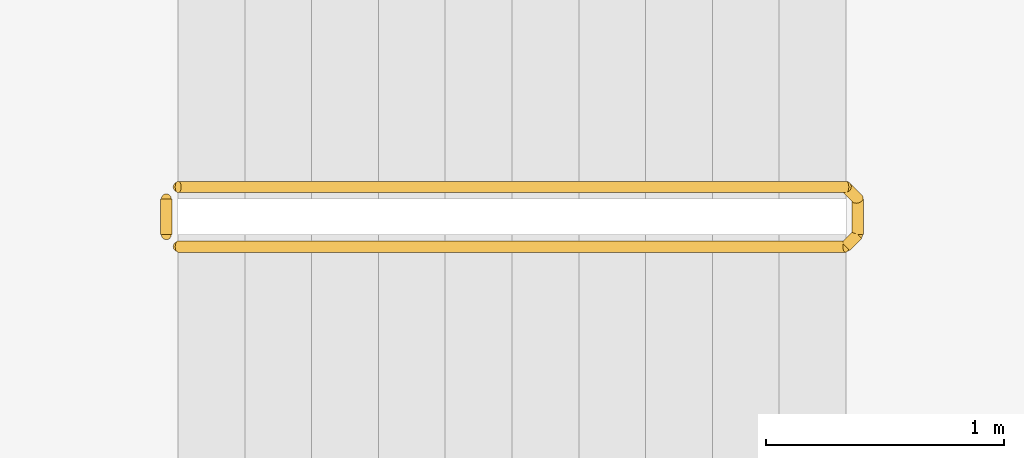
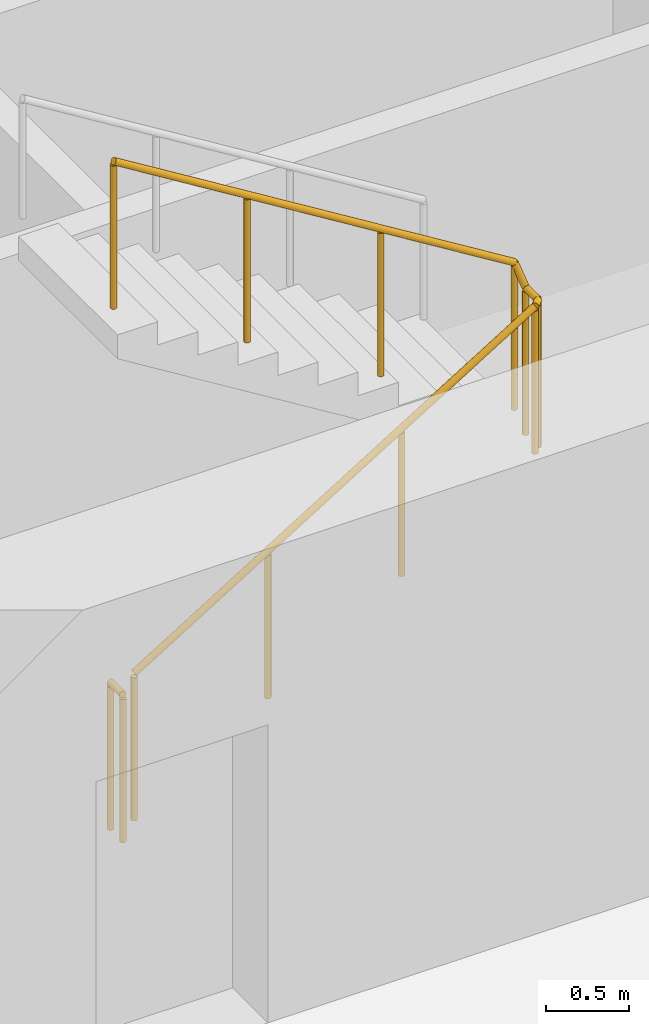
# One storey, part 10 of 14: 2 railings.
"""IFC4 building model written with IfcOpenShell, lengths in metres."""

import ifcopenshell
import ifcopenshell.guid

model = None  # the IFC model being written
_history = None  # IfcOwnerHistory: only IFC2X3 demands one
_inside = {}  # id of a spatial element -> (the spatial element, [elements in it])
_under = {}  # id of a project, library or spatial element -> (it, [spatial elements below it])
_declared = {}  # id of a project -> (the project, [libraries it declares])
_typed = {}  # id of a type object -> (the type object, [elements of that type])
_made_of = {}  # id of a material, layer set ... -> (it, [elements and type objects made of it])


def new_model(schema):
    """Start an empty IFC model of exactly this schema.

    Asked for "IFC4X3", IfcOpenShell would pick the latest addendum, in which some entities
    have other attributes; the version numbers below select the first issue.
    IFC2X3 requires an IfcOwnerHistory on every rooted entity: one is made here for all.
    """
    global model, _history
    if schema == "IFC4X3":
        model = ifcopenshell.file(schema_version=(4, 3, 0, 0))
    else:
        model = ifcopenshell.file(schema=schema)
    _inside.clear()
    _under.clear()
    _declared.clear()
    _typed.clear()
    _made_of.clear()
    _history = None
    if model.schema == "IFC2X3":
        org = make("IfcOrganization", Name="unknown")
        user = make(
            "IfcPersonAndOrganization",
            ThePerson=make("IfcPerson", FamilyName="unknown"),
            TheOrganization=org,
        )
        app = make(
            "IfcApplication",
            ApplicationDeveloper=org,
            Version="unknown",
            ApplicationFullName="unknown",
            ApplicationIdentifier="unknown",
        )
        _history = make(
            "IfcOwnerHistory",
            OwningUser=user,
            OwningApplication=app,
            ChangeAction="ADDED",
            CreationDate=0,
        )
    return model


def make(cls, **values):
    """One entity of the class cls with the attributes given. An attribute that is None is left unset."""
    return model.create_entity(
        cls, **{name: value for name, value in values.items() if value is not None}
    )


def rooted(cls, **values):
    """An entity with a GlobalId (a new one), such as an element, a storey or a relation."""
    return make(cls, GlobalId=ifcopenshell.guid.new(), OwnerHistory=_history, **values)


def si_unit(unit_type, name, prefix=None):
    """IfcSIUnit, for example si_unit("LENGTHUNIT", "METRE", prefix="MILLI")."""
    return make("IfcSIUnit", UnitType=unit_type, Prefix=prefix, Name=name)


def assignment(units):
    """IfcUnitAssignment: the units of a project."""
    return None if units is None else make("IfcUnitAssignment", Units=units)


def point(xyz):
    """IfcCartesianPoint."""
    return None if xyz is None else make("IfcCartesianPoint", Coordinates=xyz)


def direction(xyz):
    """IfcDirection."""
    return None if xyz is None else make("IfcDirection", DirectionRatios=xyz)


def frame(location, z_axis=None, x_axis=None):
    """IfcAxis2Placement3D, a coordinate frame: its origin and axes. An axis left out is left unset."""
    return make(
        "IfcAxis2Placement3D",
        Location=point(location),
        Axis=direction(z_axis),
        RefDirection=direction(x_axis),
    )


def frame_2d(location, x_axis=None):
    """IfcAxis2Placement2D, a coordinate frame in the plane: its origin and x axis."""
    return make(
        "IfcAxis2Placement2D", Location=point(location), RefDirection=direction(x_axis)
    )


def origin():
    """The frame at (0, 0, 0) with its axes left unset."""
    return frame((0.0, 0.0, 0.0))


def origin_2d():
    """The frame at (0, 0) in the plane with its x axis left unset."""
    return frame_2d((0.0, 0.0))


def place(relative_to, where):
    """IfcLocalPlacement: puts the frame where relative to a parent placement (None: the world)."""
    return make(
        "IfcLocalPlacement", PlacementRelTo=relative_to, RelativePlacement=where
    )


def context(
    kind, dimensions, precision=None, world=None, true_north=None, identifier=None
):
    """IfcGeometricRepresentationContext, for example the 3D "Model" context."""
    return make(
        "IfcGeometricRepresentationContext",
        ContextIdentifier=identifier,
        ContextType=kind,
        CoordinateSpaceDimension=dimensions,
        Precision=precision,
        WorldCoordinateSystem=world,
        TrueNorth=true_north,
    )


def subcontext(parent, identifier, kind, view, scale=None):
    """IfcGeometricRepresentationSubContext, for example "Body" below "Model"."""
    return make(
        "IfcGeometricRepresentationSubContext",
        ContextIdentifier=identifier,
        ContextType=kind,
        ParentContext=parent,
        TargetScale=scale,
        TargetView=view,
    )


def project(units=None, contexts=None):
    """IfcProject with its units and contexts."""
    return rooted(
        "IfcProject",
        Name="project",
        RepresentationContexts=contexts,
        UnitsInContext=assignment(units),
    )


def spatial(cls, under=None, at=None, **own):
    """A site, building, storey or space (cls), placed at a placement, below another one or the project."""
    s = rooted(cls, ObjectPlacement=at, **own)
    if under is not None:
        _under.setdefault(under.id(), (under, []))[1].append(s)
    return s


def profile(cls, at=None, kind="AREA", **sizes):
    """A parametric profile (cls). Its sizes go by their IFC names, for example OverallWidth=200.0."""
    return make(cls, ProfileType=kind, Position=at, **sizes)


def circle(**sizes):
    """IfcCircleProfileDef."""
    return profile("IfcCircleProfileDef", **sizes)


def extrude(swept, where, along, depth):
    """IfcExtrudedAreaSolid: the profile swept, set in the frame where, extruded along a direction by depth."""
    return make(
        "IfcExtrudedAreaSolid",
        SweptArea=swept,
        Position=where,
        ExtrudedDirection=direction(along),
        Depth=depth,
    )


def shape(context_of_items, identifier, shape_type, items):
    """IfcShapeRepresentation: the items that make up one representation, for example the "Body"."""
    return make(
        "IfcShapeRepresentation",
        ContextOfItems=context_of_items,
        RepresentationIdentifier=identifier,
        RepresentationType=shape_type,
        Items=items,
    )


def material(Name=None, Category=None):
    """IfcMaterial."""
    return make("IfcMaterial", Name=Name, Category=Category)


def made_of(thing, what):
    """Note that an element or type object is made of a material, layer set ...; save() writes the relation."""
    if what is not None:
        _made_of.setdefault(what.id(), (what, []))[1].append(thing)
    return thing


def type_object(cls, material=None, **own):
    """A type object (cls), such as IfcWallType, which elements share."""
    return made_of(rooted(cls, **own), material)


def element(
    cls,
    number,
    at=None,
    inside=None,
    cuts=None,
    type_object=None,
    material=None,
    context=None,
    identifier="Body",
    shape_type=None,
    held_by="IfcProductDefinitionShape",
    body=None,
    shapes=None,
    **own,
):
    """One element of the class cls, such as IfcWall. Its Tag is "e" and its number.

    at: its placement. inside: the storey or other place that contains it. cuts: it is an
    opening in that element (IfcRelVoidsElement). A single representation is given by context,
    identifier, shape_type and body (its items); several are given by shapes. held_by: the class
    of the entity that holds the representations. save() writes the other relations.
    """
    e = rooted(cls, Tag="e%d" % number, ObjectPlacement=at, **own)
    if body is not None:
        shapes = [shape(context, identifier, shape_type, body)]
    if shapes is not None:
        e.Representation = make(held_by, Representations=shapes)
    if inside is not None:
        _inside.setdefault(inside.id(), (inside, []))[1].append(e)
    if cuts is not None:
        rooted(
            "IfcRelVoidsElement", RelatingBuildingElement=cuts, RelatedOpeningElement=e
        )
    if type_object is not None:
        _typed.setdefault(type_object.id(), (type_object, []))[1].append(e)
    return made_of(e, material)


def aggregate(whole, parts):
    """IfcRelAggregates: a whole, such as a stair, and the parts it consists of."""
    return rooted("IfcRelAggregates", RelatingObject=whole, RelatedObjects=parts)


def save(model, path):
    """Write the relations noted so far, then the file.

    IfcRelAggregates (storeys below a building ...), IfcRelContainedInSpatialStructure (elements
    in a storey), IfcRelDefinesByType, IfcRelAssociatesMaterial and IfcRelDeclares: one each for
    every whole, place, type object, material and project.
    """
    for whole, parts in _under.values():
        aggregate(whole, parts)
    for where, things in _inside.values():
        rooted(
            "IfcRelContainedInSpatialStructure",
            RelatedElements=things,
            RelatingStructure=where,
        )
    for kind, things in _typed.values():
        rooted("IfcRelDefinesByType", RelatedObjects=things, RelatingType=kind)
    for what, things in _made_of.values():
        rooted("IfcRelAssociatesMaterial", RelatedObjects=things, RelatingMaterial=what)
    for by, libraries in _declared.values():
        rooted("IfcRelDeclares", RelatingContext=by, RelatedDefinitions=libraries)
    model.write(path)


model = new_model("IFC4")

# Units and contexts
model_context = context("Model", 3, precision=1e-05, world=origin(), true_north=direction((0.0, 1.0)))
body_context = subcontext(model_context, "Body", "Model", "MODEL_VIEW")
ifc_project = project(units=[si_unit("LENGTHUNIT", "METRE"), si_unit("AREAUNIT", "SQUARE_METRE"), si_unit("VOLUMEUNIT", "CUBIC_METRE"), si_unit("PLANEANGLEUNIT", "RADIAN"), si_unit("MASSUNIT", "GRAM", prefix="KILO")], contexts=[model_context])

# Site, building, storey
site_placement = place(None, origin())
site = spatial("IfcSite", under=ifc_project, at=site_placement, CompositionType="ELEMENT")
building_placement = place(site_placement, origin())
building = spatial("IfcBuilding", under=site, at=building_placement, Name="Orbiselva Terraces", CompositionType="ELEMENT")
storey_placement = place(building_placement, frame((0.0, 0.0, 88.4)))
storey = spatial("IfcBuildingStorey", under=building, at=storey_placement, Name="L22", CompositionType="ELEMENT", Elevation=88.4)

# Railings
ifc_material = material(Name="Stainless steel", Category="steel")
railing_type = type_object("IfcRailingType", Name="CORE-GUARD-1100", PredefinedType="GUARDRAIL", material=ifc_material)
railing_1_placement = place(storey_placement, frame((-7.15, 6.55, 0.172727)))
element("IfcRailing", 1, at=railing_1_placement, inside=storey, type_object=railing_type, Name="L22 S3 stair guard 1", PredefinedType="GUARDRAIL", context=body_context, shape_type="SweptSolid", body=[
    extrude(circle(Radius=0.024, at=origin_2d()), frame((0.0, 0.0, 1.081), z_axis=(0.851088519012, 0.0, 0.52502222125), x_axis=(0.0, 1.0, 0.0)), (0.0, 0.0, 1.0), 3.289905),
    extrude(circle(Radius=0.024, at=origin_2d()), frame((2.8, 0.0, 2.808273), z_axis=(0.707106781187, 0.707106781187, 0.0), x_axis=(-0.707106781187, 0.707106781187, 0.0)), (0.0, 0.0, 1.0), 0.070711),
    extrude(circle(Radius=0.024, at=origin_2d()), frame((2.85, 0.05, 2.808273), z_axis=(0.0, 1.0, 0.0), x_axis=(-1.0, 0.0, 0.0)), (0.0, 0.0, 1.0), 0.15),
    extrude(circle(Radius=0.024, at=origin_2d()), frame((2.85, 0.2, 2.808273), z_axis=(-0.267894925557, 0.267894925557, 0.925453736133), x_axis=(-0.707106781187, -0.707106781187, 0.0)), (0.0, 0.0, 1.0), 0.18664),
    extrude(circle(Radius=0.024, at=origin_2d()), frame((2.8, 0.25, 2.981), z_axis=(-0.851088519012, 0.0, 0.52502222125), x_axis=(0.0, -1.0, 0.0)), (0.0, 0.0, 1.0), 3.289905),
    extrude(circle(Radius=0.021, at=origin_2d()), origin(), (0.0, 0.0, 1.0), 1.057),
    extrude(circle(Radius=0.021, at=origin_2d()), frame((0.933333, 0.0, 0.575758)), (0.0, 0.0, 1.0), 1.057),
    extrude(circle(Radius=0.021, at=origin_2d()), frame((1.866667, 0.0, 1.151515)), (0.0, 0.0, 1.0), 1.057),
    extrude(circle(Radius=0.021, at=origin_2d()), frame((2.8, 0.0, 1.727273)), (0.0, 0.0, 1.0), 1.057),
    extrude(circle(Radius=0.021, at=origin_2d()), frame((2.85, 0.05, 1.727273)), (0.0, 0.0, 1.0), 1.057),
    extrude(circle(Radius=0.021, at=origin_2d()), frame((2.85, 0.2, 1.727273)), (0.0, 0.0, 1.0), 1.057),
    extrude(circle(Radius=0.021, at=origin_2d()), frame((2.8, 0.25, 1.9)), (0.0, 0.0, 1.0), 1.057),
    extrude(circle(Radius=0.021, at=origin_2d()), frame((1.866667, 0.25, 2.475758)), (0.0, 0.0, 1.0), 1.057),
    extrude(circle(Radius=0.021, at=origin_2d()), frame((0.933333, 0.25, 3.051515)), (0.0, 0.0, 1.0), 1.057),
    extrude(circle(Radius=0.021, at=origin_2d()), frame((0.0, 0.25, 3.627273)), (0.0, 0.0, 1.0), 1.057),
])
railing_2_placement = place(storey_placement, frame((-7.2, 6.6, 0.0)))
element("IfcRailing", 2, at=railing_2_placement, inside=storey, type_object=railing_type, Name="L22 S3 stair guard 2", PredefinedType="GUARDRAIL", context=body_context, shape_type="SweptSolid", body=[
    extrude(circle(Radius=0.024, at=origin_2d()), frame((0.0, 0.0, 1.081), z_axis=(0.0, 1.0, 0.0), x_axis=(-1.0, 0.0, 0.0)), (0.0, 0.0, 1.0), 0.15),
    extrude(circle(Radius=0.021, at=origin_2d()), origin(), (0.0, 0.0, 1.0), 1.057),
    extrude(circle(Radius=0.021, at=origin_2d()), frame((0.0, 0.15, 0.0)), (0.0, 0.0, 1.0), 1.057),
])

save(model, "model.ifc")
